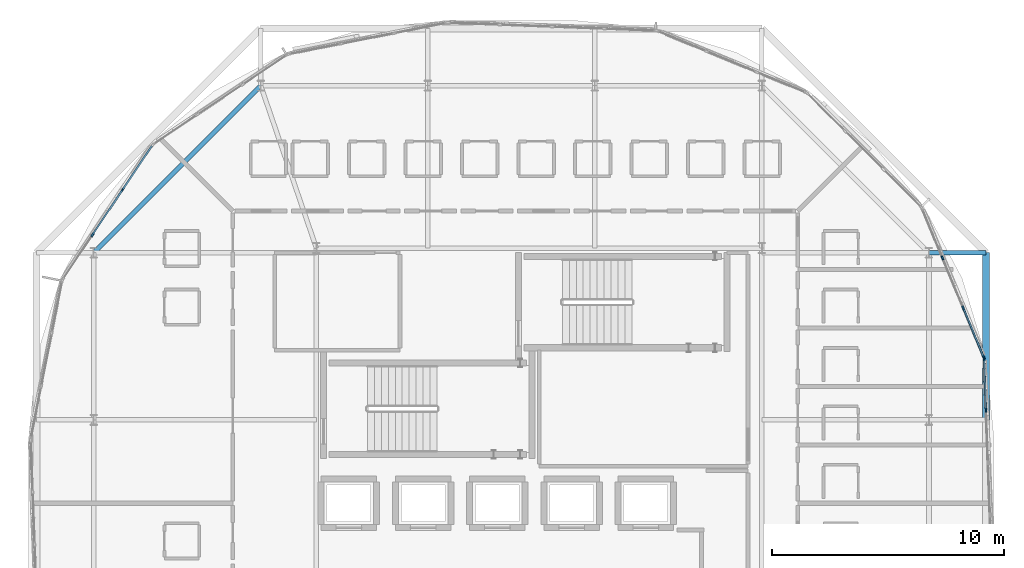
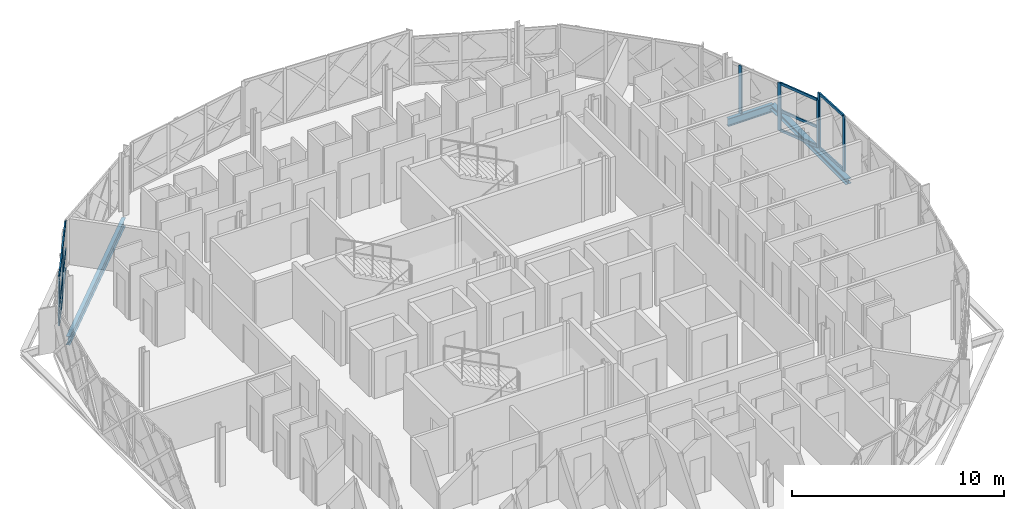
# One storey, part 8 of 24: 18 members, 3 beams, 3 elements without a shape of their own.
"""IFC4 building model written with IfcOpenShell, lengths in metres."""

from ifc_helpers import new_model, si_unit, direction, frame, origin, origin_2d, place, context, subcontext, project, spatial, rectangle, i_section, extrude, material, layer, layer_set, material_profile, profile_set, type_object, element, aggregate, save


model = new_model("IFC4")

# Units and contexts
model_context = context("Model", 3, precision=1e-05, world=origin(), true_north=direction((0.0, 1.0)))
body_context = subcontext(model_context, "Body", "Model", "MODEL_VIEW")
ifc_project = project(units=[si_unit("LENGTHUNIT", "METRE"), si_unit("AREAUNIT", "SQUARE_METRE"), si_unit("VOLUMEUNIT", "CUBIC_METRE"), si_unit("PLANEANGLEUNIT", "RADIAN"), si_unit("MASSUNIT", "GRAM", prefix="KILO")], contexts=[model_context])

# Site, building, storey
site_placement = place(None, origin())
site = spatial("IfcSite", under=ifc_project, at=site_placement, CompositionType="ELEMENT")
building_placement = place(site_placement, origin())
building = spatial("IfcBuilding", under=site, at=building_placement, Name="Zevrakil Square Congress Hotel", CompositionType="ELEMENT")
storey_placement = place(building_placement, frame((0.0, 0.0, 31.699951171875)))
storey = spatial("IfcBuildingStorey", under=building, at=storey_placement, Name="L09", CompositionType="ELEMENT", Elevation=31.699951171875)

# Beams
ifc_material_1 = material(Name="Steel S355", Category="steel")
ifc_material_profile_1 = material_profile(ifc_material_1, i_section(OverallWidth=0.18994140625, OverallDepth=0.449951171875, WebThickness=0.009521484375, FlangeThickness=0.0146484375, FilletRadius=0.02099609375, at=origin_2d()), Name="IPE 450")
ifc_profile_set_1 = profile_set([ifc_material_profile_1], Name="Steel S355")
beam_type_1 = type_object("IfcBeamType", Name="BM-IPE450", PredefinedType="BEAM", material=ifc_profile_set_1)
beam_1_placement = place(storey_placement, frame((163.199951171875, 38.39990234375, -0.449951171875), z_axis=(1.0, 0.0, 0.0), x_axis=(0.0, 1.0, 0.0)))
element("IfcBeam", 1, at=beam_1_placement, inside=storey, type_object=beam_type_1, Name="L09 drum radial edge cantilever beam DRO-08", PredefinedType="BEAM", context=body_context, shape_type="SweptSolid", body=[
    extrude(i_section(OverallWidth=0.18994140625, OverallDepth=0.449951171875, WebThickness=0.009521484375, FlangeThickness=0.0146484375, FilletRadius=0.02099609375, at=origin_2d()), origin(), (0.0, 0.0, 1.0), 2.455078125),
])
ifc_material_2 = material(Name="Steel S355", Category="steel")
ifc_material_profile_2 = material_profile(ifc_material_2, i_section(OverallWidth=0.199951171875, OverallDepth=0.5, WebThickness=0.01025390625, FlangeThickness=0.01611328125, FilletRadius=0.02099609375, at=origin_2d()), Name="IPE 500")
ifc_profile_set_2 = profile_set([ifc_material_profile_2], Name="Steel S355")
beam_type_2 = type_object("IfcBeamType", Name="BM-IPE500", PredefinedType="BEAM", material=ifc_profile_set_2)
beam_2_placement = place(storey_placement, frame((134.39990234375, 45.60009765625, -0.474853515625), z_axis=(-0.70709479277, -0.7071187694, 0.0), x_axis=(0.7071187694, -0.70709479277, 0.0)))
element("IfcBeam", 2, at=beam_2_placement, inside=storey, type_object=beam_type_2, Name="L09 drum ring girder DRB-12", PredefinedType="BEAM", context=body_context, shape_type="SweptSolid", body=[
    extrude(i_section(OverallWidth=0.199951171875, OverallDepth=0.5, WebThickness=0.01025390625, FlangeThickness=0.01611328125, FilletRadius=0.02099609375, at=origin_2d()), origin(), (0.0, 0.0, 1.0), 10.182373046875),
])

# Curtain wall, members
ifc_material_3 = material(Name="Aluminium Anodised Bronze", Category="aluminium")
ifc_layer_1 = layer(ifc_material_3, 0.179931640625)
ifc_layer_set_1 = layer_set([ifc_layer_1], Name="Aluminium Anodised Bronze")
curtain_wall_type_1 = type_object("IfcCurtainWallType", Name="CW-L09-900", PredefinedType="USERDEFINED", material=ifc_layer_set_1)
curtain_wall_1_placement = place(storey_placement, origin())
curtain_wall_1 = element("IfcCurtainWall", 3, at=curtain_wall_1_placement, inside=storey, type_object=curtain_wall_type_1, Name="L09 diamond curtain wall CW-L09-0257", ObjectType="GLAZED CURTAIN WALL", PredefinedType="USERDEFINED")
ifc_material_4 = material(Name="Aluminium Anodised Bronze", Category="aluminium")
ifc_material_profile_3 = material_profile(ifc_material_4, rectangle(XDim=0.074951171875, YDim=0.14990234375, at=origin_2d()), Name="ALU 75x150")
ifc_profile_set_3 = profile_set([ifc_material_profile_3], Name="Aluminium Anodised Bronze")
member_type_1 = type_object("IfcMemberType", Name="CWM-ALU75x150", PredefinedType="USERDEFINED", material=ifc_profile_set_3)
member_1_placement = place(storey_placement, frame((165.655029296875, 31.636962890625, 0.030029296875), z_axis=(-0.038186533987, 0.999270628319, 0.0), x_axis=(-0.999270628319, -0.038186533987, 0.0)))
member_1 = element("IfcMember", 4, at=member_1_placement, type_object=member_type_1, Name="CW-108 transom 4.1", ObjectType="TRANSOM", PredefinedType="USERDEFINED", context=body_context, shape_type="SweptSolid", body=[
    extrude(rectangle(XDim=0.074951171875, YDim=0.14990234375, at=origin_2d()), origin(), (0.0, 0.0, 1.0), 2.167236328125),
])
member_2_placement = place(storey_placement, frame((165.655029296875, 31.636962890625, 3.14013671875), z_axis=(-0.038186533987, 0.999270628319, 0.0), x_axis=(-0.999270628319, -0.038186533987, 0.0)))
member_2 = element("IfcMember", 5, at=member_2_placement, type_object=member_type_1, Name="CW-108 transom 4.2", ObjectType="TRANSOM", PredefinedType="USERDEFINED", context=body_context, shape_type="SweptSolid", body=[
    extrude(rectangle(XDim=0.074951171875, YDim=0.14990234375, at=origin_2d()), origin(), (0.0, 0.0, 1.0), 2.167236328125),
])

ifc_material_5 = material(Name="Aluminium Anodised Bronze", Category="aluminium")
ifc_layer_2 = layer(ifc_material_5, 0.179931640625)
ifc_layer_set_2 = layer_set([ifc_layer_2], Name="Aluminium Anodised Bronze")
curtain_wall_type_2 = type_object("IfcCurtainWallType", Name="CW-L09-720", PredefinedType="USERDEFINED", material=ifc_layer_set_2)
curtain_wall_2_placement = place(storey_placement, origin())
curtain_wall_2 = element("IfcCurtainWall", 6, at=curtain_wall_2_placement, inside=storey, type_object=curtain_wall_type_2, Name="L09 diamond curtain wall CW-L09-0258", ObjectType="GLAZED CURTAIN WALL", PredefinedType="USERDEFINED")
member_3_placement = place(storey_placement, frame((165.547119140625, 33.918212890625, 0.030029296875), z_axis=(-0.382723093326, 0.923863103406, 0.0), x_axis=(-0.923863103406, -0.382723093326, 0.0)))
member_3 = element("IfcMember", 7, at=member_3_placement, type_object=member_type_1, Name="CW-106 transom 1.1", ObjectType="TRANSOM", PredefinedType="USERDEFINED", context=body_context, shape_type="SweptSolid", body=[
    extrude(rectangle(XDim=0.074951171875, YDim=0.14990234375, at=origin_2d()), origin(), (0.0, 0.0, 1.0), 2.245361328125),
])
member_4_placement = place(storey_placement, frame((165.547119140625, 33.918212890625, 1.1572265625), z_axis=(-0.382723093326, 0.923863103406, 0.0), x_axis=(-0.923863103406, -0.382723093326, 0.0)))
member_4 = element("IfcMember", 8, at=member_4_placement, type_object=member_type_1, Name="CW-106 transom 1.2", ObjectType="TRANSOM", PredefinedType="USERDEFINED", context=body_context, shape_type="SweptSolid", body=[
    extrude(rectangle(XDim=0.074951171875, YDim=0.14990234375, at=origin_2d()), origin(), (0.0, 0.0, 1.0), 2.245361328125),
])
member_5_placement = place(storey_placement, frame((165.547119140625, 33.918212890625, 2.72509765625), z_axis=(-0.382723093326, 0.923863103406, 0.0), x_axis=(-0.923863103406, -0.382723093326, 0.0)))
member_5 = element("IfcMember", 9, at=member_5_placement, type_object=member_type_1, Name="CW-106 transom 1.3", ObjectType="TRANSOM", PredefinedType="USERDEFINED", context=body_context, shape_type="SweptSolid", body=[
    extrude(rectangle(XDim=0.074951171875, YDim=0.14990234375, at=origin_2d()), origin(), (0.0, 0.0, 1.0), 2.245361328125),
])

curtain_wall_3_placement = place(storey_placement, origin())
curtain_wall_3 = element("IfcCurtainWall", 10, at=curtain_wall_3_placement, inside=storey, type_object=curtain_wall_type_2, Name="L09 diamond curtain wall CW-L09-0264", ObjectType="GLAZED CURTAIN WALL", PredefinedType="USERDEFINED")
member_6_placement = place(storey_placement, frame((129.71044921875, 43.006103515625, 0.030029296875), z_axis=(-0.555578212179, -0.831464280743, 0.0), x_axis=(0.831464280743, -0.555578212179, 0.0)))
member_6 = element("IfcMember", 11, at=member_6_placement, type_object=member_type_1, Name="CW-106 transom 1.1", ObjectType="TRANSOM", PredefinedType="USERDEFINED", context=body_context, shape_type="SweptSolid", body=[
    extrude(rectangle(XDim=0.074951171875, YDim=0.14990234375, at=origin_2d()), origin(), (0.0, 0.0, 1.0), 2.2451171875),
])
member_7_placement = place(storey_placement, frame((129.71044921875, 43.006103515625, 1.1572265625), z_axis=(-0.555578212179, -0.831464280743, 0.0), x_axis=(0.831464280743, -0.555578212179, 0.0)))
member_7 = element("IfcMember", 12, at=member_7_placement, type_object=member_type_1, Name="CW-106 transom 1.2", ObjectType="TRANSOM", PredefinedType="USERDEFINED", context=body_context, shape_type="SweptSolid", body=[
    extrude(rectangle(XDim=0.074951171875, YDim=0.14990234375, at=origin_2d()), origin(), (0.0, 0.0, 1.0), 2.2451171875),
])
member_8_placement = place(storey_placement, frame((129.71044921875, 43.006103515625, 2.72509765625), z_axis=(-0.555578212179, -0.831464280743, 0.0), x_axis=(0.831464280743, -0.555578212179, 0.0)))
member_8 = element("IfcMember", 13, at=member_8_placement, type_object=member_type_1, Name="CW-106 transom 1.3", ObjectType="TRANSOM", PredefinedType="USERDEFINED", context=body_context, shape_type="SweptSolid", body=[
    extrude(rectangle(XDim=0.074951171875, YDim=0.14990234375, at=origin_2d()), origin(), (0.0, 0.0, 1.0), 2.2451171875),
])
member_9_placement = place(storey_placement, frame((128.429931640625, 41.089599609375, 0.030029296875), z_axis=(-0.555591280253, -0.831455548606, 0.0), x_axis=(0.831455548606, -0.555591280253, 0.0)))
member_9 = element("IfcMember", 14, at=member_9_placement, type_object=member_type_1, Name="CW-106 transom 2.1", ObjectType="TRANSOM", PredefinedType="USERDEFINED", context=body_context, shape_type="SweptSolid", body=[
    extrude(rectangle(XDim=0.074951171875, YDim=0.14990234375, at=origin_2d()), origin(), (0.0, 0.0, 1.0), 2.275390625),
])
member_10_placement = place(storey_placement, frame((128.429931640625, 41.089599609375, 1.1572265625), z_axis=(-0.555591280253, -0.831455548606, 0.0), x_axis=(0.831455548606, -0.555591280253, 0.0)))
member_10 = element("IfcMember", 15, at=member_10_placement, type_object=member_type_1, Name="CW-106 transom 2.2", ObjectType="TRANSOM", PredefinedType="USERDEFINED", context=body_context, shape_type="SweptSolid", body=[
    extrude(rectangle(XDim=0.074951171875, YDim=0.14990234375, at=origin_2d()), origin(), (0.0, 0.0, 1.0), 2.275390625),
])
member_11_placement = place(storey_placement, frame((128.429931640625, 41.089599609375, 2.72509765625), z_axis=(-0.555591280253, -0.831455548606, 0.0), x_axis=(0.831455548606, -0.555591280253, 0.0)))
member_11 = element("IfcMember", 16, at=member_11_placement, type_object=member_type_1, Name="CW-106 transom 2.3", ObjectType="TRANSOM", PredefinedType="USERDEFINED", context=body_context, shape_type="SweptSolid", body=[
    extrude(rectangle(XDim=0.074951171875, YDim=0.14990234375, at=origin_2d()), origin(), (0.0, 0.0, 1.0), 2.275390625),
])

# Member
ifc_material_6 = material(Name="Aluminium Anodised Bronze", Category="aluminium")
ifc_material_profile_4 = material_profile(ifc_material_6, rectangle(XDim=0.074951171875, YDim=0.179931640625, at=origin_2d()), Name="ALU 75x180")
ifc_profile_set_4 = profile_set([ifc_material_profile_4], Name="Aluminium Anodised Bronze")
member_type_2 = type_object("IfcMemberType", Name="CWM-ALU75x180", PredefinedType="MULLION", material=ifc_profile_set_4)
member_12_placement = place(storey_placement, frame((165.65625, 31.607177734375, 0.0), z_axis=(0.0, 0.0, 1.0), x_axis=(-0.999269786869, -0.03820854684, 0.0)))
member_12 = element("IfcMember", 17, at=member_12_placement, type_object=member_type_2, Name="CW-108 mullion 4", PredefinedType="MULLION", context=body_context, shape_type="SweptSolid", body=[
    extrude(rectangle(XDim=0.074951171875, YDim=0.179931640625, at=origin_2d()), origin(), (0.0, 0.0, 1.0), 3.170166015625),
])

member_13_placement = place(storey_placement, frame((165.571044921875, 33.832763671875, 0.0), z_axis=(0.0, 0.0, 1.0), x_axis=(-0.999269786869, -0.03820854684, 0.0)))
member_13 = element("IfcMember", 18, at=member_13_placement, type_object=member_type_2, Name="CW-108 mullion 5", PredefinedType="MULLION", context=body_context, shape_type="SweptSolid", body=[
    extrude(rectangle(XDim=0.074951171875, YDim=0.179931640625, at=origin_2d()), origin(), (0.0, 0.0, 1.0), 3.170166015625),
])

aggregate(curtain_wall_1, [member_12, member_13, member_1, member_2])

member_14_placement = place(storey_placement, frame((165.55859375, 33.890625, 0.0), z_axis=(0.0, 0.0, 1.0), x_axis=(-0.92387939537, -0.382683763454, 0.0)))
member_14 = element("IfcMember", 19, at=member_14_placement, type_object=member_type_2, Name="CW-106 mullion 1", PredefinedType="MULLION", context=body_context, shape_type="SweptSolid", body=[
    extrude(rectangle(XDim=0.074951171875, YDim=0.179931640625, at=origin_2d()), origin(), (0.0, 0.0, 1.0), 2.755126953125),
])

member_15_placement = place(storey_placement, frame((164.67626953125, 36.020263671875, 0.0), z_axis=(0.0, 0.0, 1.0), x_axis=(-0.92387939537, -0.382683763454, 0.0)))
member_15 = element("IfcMember", 20, at=member_15_placement, type_object=member_type_2, Name="CW-106 mullion 2", PredefinedType="MULLION", context=body_context, shape_type="SweptSolid", body=[
    extrude(rectangle(XDim=0.074951171875, YDim=0.179931640625, at=origin_2d()), origin(), (0.0, 0.0, 1.0), 2.755126953125),
])

member_16_placement = place(storey_placement, frame((163.78271484375, 38.177734375, 0.0), z_axis=(0.0, 0.0, 1.0), x_axis=(-0.92387939537, -0.382683763454, 0.0)))
member_16 = element("IfcMember", 21, at=member_16_placement, type_object=member_type_2, Name="CW-106 mullion 3", PredefinedType="MULLION", context=body_context, shape_type="SweptSolid", body=[
    extrude(rectangle(XDim=0.074951171875, YDim=0.179931640625, at=origin_2d()), origin(), (0.0, 0.0, 1.0), 2.755126953125),
])

aggregate(curtain_wall_2, [member_14, member_15, member_16, member_3, member_4, member_5])

member_17_placement = place(storey_placement, frame((128.446533203125, 41.114501953125, 0.0), z_axis=(0.0, 0.0, 1.0), x_axis=(0.831465693332, -0.555576098128, 0.0)))
member_17 = element("IfcMember", 22, at=member_17_placement, type_object=member_type_2, Name="CW-106 mullion 2", PredefinedType="MULLION", context=body_context, shape_type="SweptSolid", body=[
    extrude(rectangle(XDim=0.074951171875, YDim=0.179931640625, at=origin_2d()), origin(), (0.0, 0.0, 1.0), 2.755126953125),
])

member_18_placement = place(storey_placement, frame((127.149169921875, 39.1728515625, 0.0), z_axis=(0.0, 0.0, 1.0), x_axis=(0.831465693332, -0.555576098128, 0.0)))
member_18 = element("IfcMember", 23, at=member_18_placement, type_object=member_type_2, Name="CW-106 mullion 3", PredefinedType="MULLION", context=body_context, shape_type="SweptSolid", body=[
    extrude(rectangle(XDim=0.074951171875, YDim=0.179931640625, at=origin_2d()), origin(), (0.0, 0.0, 1.0), 2.755126953125),
])

aggregate(curtain_wall_3, [member_17, member_18, member_6, member_7, member_8, member_9, member_10, member_11])

# Beam
ifc_material_7 = material(Name="Steel S355", Category="steel")
ifc_material_profile_5 = material_profile(ifc_material_7, i_section(OverallWidth=0.300048828125, OverallDepth=0.300048828125, WebThickness=0.010986328125, FlangeThickness=0.01904296875, FilletRadius=0.027099609375, at=origin_2d()), Name="HEB 300")
ifc_profile_set_5 = profile_set([ifc_material_profile_5], Name="Steel S355")
beam_type_3 = type_object("IfcBeamType", Name="SPD-RHS250", PredefinedType="SPANDREL", material=ifc_profile_set_5)
beam_3_placement = place(storey_placement, frame((165.655029296875, 31.199951171875, -0.375), z_axis=(0.0, 1.0, 0.0), x_axis=(-1.0, 0.0, 0.0)))
element("IfcBeam", 24, at=beam_3_placement, inside=storey, type_object=beam_type_3, Name="L09 drum edge spandrel beam DSP-06", PredefinedType="SPANDREL", context=body_context, shape_type="SweptSolid", body=[
    extrude(i_section(OverallWidth=0.300048828125, OverallDepth=0.300048828125, WebThickness=0.010986328125, FlangeThickness=0.01904296875, FilletRadius=0.027099609375, at=origin_2d()), origin(), (0.0, 0.0, 1.0), 7.199951171875),
])

save(model, "model.ifc")
